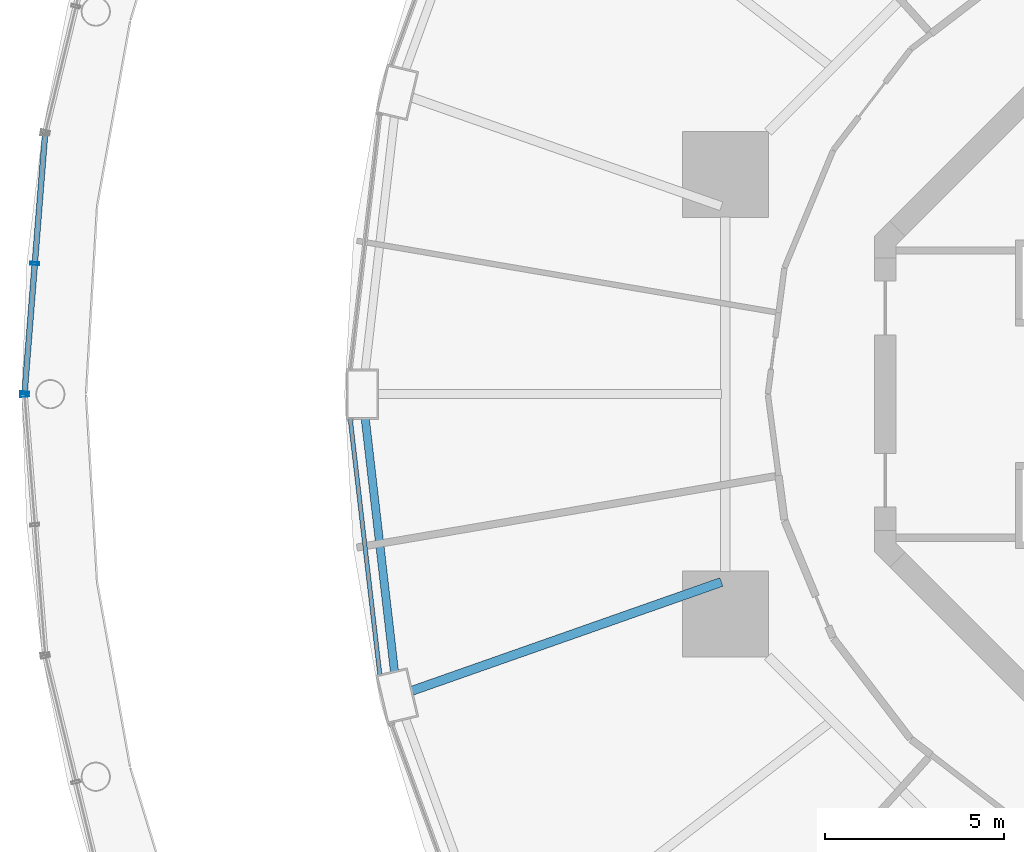
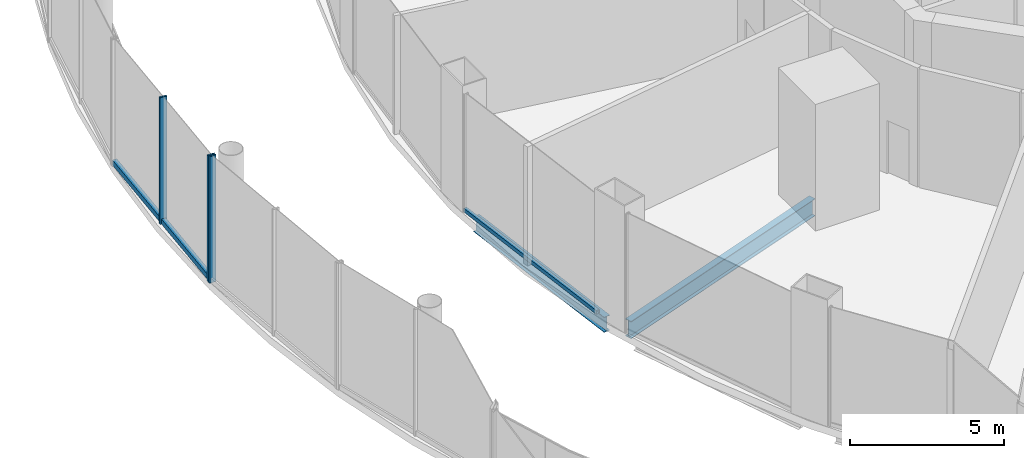
# One storey, part 17 of 48: 5 members, 2 beams, 3 elements without a shape of their own.
"""IFC4 building model written with IfcOpenShell, lengths in metres."""

import ifcopenshell
import ifcopenshell.guid

model = None  # the IFC model being written
_history = None  # IfcOwnerHistory: only IFC2X3 demands one
_inside = {}  # id of a spatial element -> (the spatial element, [elements in it])
_under = {}  # id of a project, library or spatial element -> (it, [spatial elements below it])
_declared = {}  # id of a project -> (the project, [libraries it declares])
_typed = {}  # id of a type object -> (the type object, [elements of that type])
_made_of = {}  # id of a material, layer set ... -> (it, [elements and type objects made of it])


def new_model(schema):
    """Start an empty IFC model of exactly this schema.

    Asked for "IFC4X3", IfcOpenShell would pick the latest addendum, in which some entities
    have other attributes; the version numbers below select the first issue.
    IFC2X3 requires an IfcOwnerHistory on every rooted entity: one is made here for all.
    """
    global model, _history
    if schema == "IFC4X3":
        model = ifcopenshell.file(schema_version=(4, 3, 0, 0))
    else:
        model = ifcopenshell.file(schema=schema)
    _inside.clear()
    _under.clear()
    _declared.clear()
    _typed.clear()
    _made_of.clear()
    _history = None
    if model.schema == "IFC2X3":
        org = make("IfcOrganization", Name="unknown")
        user = make(
            "IfcPersonAndOrganization",
            ThePerson=make("IfcPerson", FamilyName="unknown"),
            TheOrganization=org,
        )
        app = make(
            "IfcApplication",
            ApplicationDeveloper=org,
            Version="unknown",
            ApplicationFullName="unknown",
            ApplicationIdentifier="unknown",
        )
        _history = make(
            "IfcOwnerHistory",
            OwningUser=user,
            OwningApplication=app,
            ChangeAction="ADDED",
            CreationDate=0,
        )
    return model


def make(cls, **values):
    """One entity of the class cls with the attributes given. An attribute that is None is left unset."""
    return model.create_entity(
        cls, **{name: value for name, value in values.items() if value is not None}
    )


def rooted(cls, **values):
    """An entity with a GlobalId (a new one), such as an element, a storey or a relation."""
    return make(cls, GlobalId=ifcopenshell.guid.new(), OwnerHistory=_history, **values)


def si_unit(unit_type, name, prefix=None):
    """IfcSIUnit, for example si_unit("LENGTHUNIT", "METRE", prefix="MILLI")."""
    return make("IfcSIUnit", UnitType=unit_type, Prefix=prefix, Name=name)


def assignment(units):
    """IfcUnitAssignment: the units of a project."""
    return None if units is None else make("IfcUnitAssignment", Units=units)


def point(xyz):
    """IfcCartesianPoint."""
    return None if xyz is None else make("IfcCartesianPoint", Coordinates=xyz)


def direction(xyz):
    """IfcDirection."""
    return None if xyz is None else make("IfcDirection", DirectionRatios=xyz)


def frame(location, z_axis=None, x_axis=None):
    """IfcAxis2Placement3D, a coordinate frame: its origin and axes. An axis left out is left unset."""
    return make(
        "IfcAxis2Placement3D",
        Location=point(location),
        Axis=direction(z_axis),
        RefDirection=direction(x_axis),
    )


def frame_2d(location, x_axis=None):
    """IfcAxis2Placement2D, a coordinate frame in the plane: its origin and x axis."""
    return make(
        "IfcAxis2Placement2D", Location=point(location), RefDirection=direction(x_axis)
    )


def origin():
    """The frame at (0, 0, 0) with its axes left unset."""
    return frame((0.0, 0.0, 0.0))


def origin_2d():
    """The frame at (0, 0) in the plane with its x axis left unset."""
    return frame_2d((0.0, 0.0))


def place(relative_to, where):
    """IfcLocalPlacement: puts the frame where relative to a parent placement (None: the world)."""
    return make(
        "IfcLocalPlacement", PlacementRelTo=relative_to, RelativePlacement=where
    )


def context(
    kind, dimensions, precision=None, world=None, true_north=None, identifier=None
):
    """IfcGeometricRepresentationContext, for example the 3D "Model" context."""
    return make(
        "IfcGeometricRepresentationContext",
        ContextIdentifier=identifier,
        ContextType=kind,
        CoordinateSpaceDimension=dimensions,
        Precision=precision,
        WorldCoordinateSystem=world,
        TrueNorth=true_north,
    )


def subcontext(parent, identifier, kind, view, scale=None):
    """IfcGeometricRepresentationSubContext, for example "Body" below "Model"."""
    return make(
        "IfcGeometricRepresentationSubContext",
        ContextIdentifier=identifier,
        ContextType=kind,
        ParentContext=parent,
        TargetScale=scale,
        TargetView=view,
    )


def project(units=None, contexts=None):
    """IfcProject with its units and contexts."""
    return rooted(
        "IfcProject",
        Name="project",
        RepresentationContexts=contexts,
        UnitsInContext=assignment(units),
    )


def spatial(cls, under=None, at=None, **own):
    """A site, building, storey or space (cls), placed at a placement, below another one or the project."""
    s = rooted(cls, ObjectPlacement=at, **own)
    if under is not None:
        _under.setdefault(under.id(), (under, []))[1].append(s)
    return s


def profile(cls, at=None, kind="AREA", **sizes):
    """A parametric profile (cls). Its sizes go by their IFC names, for example OverallWidth=200.0."""
    return make(cls, ProfileType=kind, Position=at, **sizes)


def hollow_rectangle(**sizes):
    """IfcRectangleHollowProfileDef."""
    return profile("IfcRectangleHollowProfileDef", **sizes)


def i_section(**sizes):
    """IfcIShapeProfileDef."""
    return profile("IfcIShapeProfileDef", **sizes)


def extrude(swept, where, along, depth):
    """IfcExtrudedAreaSolid: the profile swept, set in the frame where, extruded along a direction by depth."""
    return make(
        "IfcExtrudedAreaSolid",
        SweptArea=swept,
        Position=where,
        ExtrudedDirection=direction(along),
        Depth=depth,
    )


def shape(context_of_items, identifier, shape_type, items):
    """IfcShapeRepresentation: the items that make up one representation, for example the "Body"."""
    return make(
        "IfcShapeRepresentation",
        ContextOfItems=context_of_items,
        RepresentationIdentifier=identifier,
        RepresentationType=shape_type,
        Items=items,
    )


def material(Name=None, Category=None):
    """IfcMaterial."""
    return make("IfcMaterial", Name=Name, Category=Category)


def layer(
    of_material, thickness, ventilated=None, Name=None, Category=None, Priority=None
):
    """IfcMaterialLayer: one layer of a wall or slab, of a material (None: an air gap)."""
    return make(
        "IfcMaterialLayer",
        Material=of_material,
        LayerThickness=thickness,
        IsVentilated=ventilated,
        Name=Name,
        Category=Category,
        Priority=Priority,
    )


def layer_set(layers, Name=None):
    """IfcMaterialLayerSet."""
    return make("IfcMaterialLayerSet", MaterialLayers=layers, LayerSetName=Name)


def material_profile(
    of_material, cross_section, Name=None, Category=None, Priority=None
):
    """IfcMaterialProfile: a cross section and its material."""
    return make(
        "IfcMaterialProfile",
        Name=Name,
        Material=of_material,
        Profile=cross_section,
        Priority=Priority,
        Category=Category,
    )


def profile_set(profiles, Name=None, composite=None):
    """IfcMaterialProfileSet."""
    return make(
        "IfcMaterialProfileSet",
        Name=Name,
        MaterialProfiles=profiles,
        CompositeProfile=composite,
    )


def made_of(thing, what):
    """Note that an element or type object is made of a material, layer set ...; save() writes the relation."""
    if what is not None:
        _made_of.setdefault(what.id(), (what, []))[1].append(thing)
    return thing


def type_object(cls, material=None, **own):
    """A type object (cls), such as IfcWallType, which elements share."""
    return made_of(rooted(cls, **own), material)


def element(
    cls,
    number,
    at=None,
    inside=None,
    cuts=None,
    type_object=None,
    material=None,
    context=None,
    identifier="Body",
    shape_type=None,
    held_by="IfcProductDefinitionShape",
    body=None,
    shapes=None,
    **own,
):
    """One element of the class cls, such as IfcWall. Its Tag is "e" and its number.

    at: its placement. inside: the storey or other place that contains it. cuts: it is an
    opening in that element (IfcRelVoidsElement). A single representation is given by context,
    identifier, shape_type and body (its items); several are given by shapes. held_by: the class
    of the entity that holds the representations. save() writes the other relations.
    """
    e = rooted(cls, Tag="e%d" % number, ObjectPlacement=at, **own)
    if body is not None:
        shapes = [shape(context, identifier, shape_type, body)]
    if shapes is not None:
        e.Representation = make(held_by, Representations=shapes)
    if inside is not None:
        _inside.setdefault(inside.id(), (inside, []))[1].append(e)
    if cuts is not None:
        rooted(
            "IfcRelVoidsElement", RelatingBuildingElement=cuts, RelatedOpeningElement=e
        )
    if type_object is not None:
        _typed.setdefault(type_object.id(), (type_object, []))[1].append(e)
    return made_of(e, material)


def aggregate(whole, parts):
    """IfcRelAggregates: a whole, such as a stair, and the parts it consists of."""
    return rooted("IfcRelAggregates", RelatingObject=whole, RelatedObjects=parts)


def save(model, path):
    """Write the relations noted so far, then the file.

    IfcRelAggregates (storeys below a building ...), IfcRelContainedInSpatialStructure (elements
    in a storey), IfcRelDefinesByType, IfcRelAssociatesMaterial and IfcRelDeclares: one each for
    every whole, place, type object, material and project.
    """
    for whole, parts in _under.values():
        aggregate(whole, parts)
    for where, things in _inside.values():
        rooted(
            "IfcRelContainedInSpatialStructure",
            RelatedElements=things,
            RelatingStructure=where,
        )
    for kind, things in _typed.values():
        rooted("IfcRelDefinesByType", RelatedObjects=things, RelatingType=kind)
    for what, things in _made_of.values():
        rooted("IfcRelAssociatesMaterial", RelatedObjects=things, RelatingMaterial=what)
    for by, libraries in _declared.values():
        rooted("IfcRelDeclares", RelatingContext=by, RelatedDefinitions=libraries)
    model.write(path)


model = new_model("IFC4")

# Units and contexts
model_context = context("Model", 3, precision=1e-05, world=origin(), true_north=direction((0.0, 1.0)))
body_context = subcontext(model_context, "Body", "Model", "MODEL_VIEW")
ifc_project = project(units=[si_unit("LENGTHUNIT", "METRE"), si_unit("AREAUNIT", "SQUARE_METRE"), si_unit("VOLUMEUNIT", "CUBIC_METRE"), si_unit("PLANEANGLEUNIT", "RADIAN"), si_unit("MASSUNIT", "GRAM", prefix="KILO")], contexts=[model_context])

# Site, building, storey
site_placement = place(None, origin())
site = spatial("IfcSite", under=ifc_project, at=site_placement, CompositionType="ELEMENT")
building_placement = place(site_placement, origin())
building = spatial("IfcBuilding", under=site, at=building_placement, Name="Nagisa Residences", CompositionType="ELEMENT")
storey_placement = place(building_placement, frame((0.0, 0.0, 12.0)))
storey = spatial("IfcBuildingStorey", under=building, at=storey_placement, Name="L02", CompositionType="ELEMENT", Elevation=12.0)

# Curtain wall, members
ifc_material_1 = material(Name="Stainless steel curtain wall system", Category="steel")
ifc_layer_1 = layer(ifc_material_1, 0.159912109375)
ifc_layer_set_1 = layer_set([ifc_layer_1], Name="CW3 CURTAIN WALL")
curtain_wall_type_1 = type_object("IfcCurtainWallType", Name="CW3 CURTAIN WALL", PredefinedType="NOTDEFINED", material=ifc_layer_set_1)
curtain_wall_1_placement = place(storey_placement, origin())
curtain_wall_1 = element("IfcCurtainWall", 1, at=curtain_wall_1_placement, inside=storey, type_object=curtain_wall_type_1, Name="cw:CW3:L02:17", PredefinedType="NOTDEFINED")
ifc_material_2 = material(Name="Stainless steel", Category="steel")
ifc_material_profile_1 = material_profile(ifc_material_2, hollow_rectangle(XDim=0.25, YDim=0.080078125, WallThickness=0.008056640625, at=origin_2d()), Name="CW3 MULLION 250x80")
ifc_profile_set_1 = profile_set([ifc_material_profile_1], Name="Stainless steel")
member_type_1 = type_object("IfcMemberType", Name="CW3 MULLION 250x80", PredefinedType="MULLION", material=ifc_profile_set_1)
member_1_placement = place(storey_placement, frame((-34.031494140625, 3.640380859375, 0.0), z_axis=(0.0, 0.0, 1.0), x_axis=(0.996881777235, -0.078909582539, 0.0)))
member_1 = element("IfcMember", 2, at=member_1_placement, type_object=member_type_1, Name="CW3 mullion", PredefinedType="MULLION", context=body_context, shape_type="SweptSolid", body=[
    extrude(hollow_rectangle(XDim=0.25, YDim=0.080078125, WallThickness=0.008056640625, at=origin_2d()), origin(), (0.0, 0.0, 1.0), 5.0),
])
member_2_placement = place(storey_placement, frame((-34.317138671875, 0.033447265625, 0.0), z_axis=(0.0, 0.0, 1.0), x_axis=(0.996881777235, -0.078909582539, 0.0)))
member_2 = element("IfcMember", 3, at=member_2_placement, type_object=member_type_1, Name="CW3 mullion", PredefinedType="MULLION", context=body_context, shape_type="SweptSolid", body=[
    extrude(hollow_rectangle(XDim=0.25, YDim=0.080078125, WallThickness=0.008056640625, at=origin_2d()), origin(), (0.0, 0.0, 1.0), 5.0),
])

# Curtain wall, member
curtain_wall_2_placement = place(storey_placement, origin())
curtain_wall_2 = element("IfcCurtainWall", 4, at=curtain_wall_2_placement, inside=storey, type_object=curtain_wall_type_1, Name="cw:CW3:L02:18", PredefinedType="NOTDEFINED")
member_3_placement = place(storey_placement, frame((-34.317138671875, -0.033447265625, 0.0), z_axis=(0.0, 0.0, 1.0), x_axis=(0.996881777235, 0.078909582539, 0.0)))
member_3 = element("IfcMember", 5, at=member_3_placement, type_object=member_type_1, Name="CW3 mullion", PredefinedType="MULLION", context=body_context, shape_type="SweptSolid", body=[
    extrude(hollow_rectangle(XDim=0.25, YDim=0.080078125, WallThickness=0.008056640625, at=origin_2d()), origin(), (0.0, 0.0, 1.0), 5.0),
])
aggregate(curtain_wall_2, [member_3])

# Member
ifc_material_3 = material(Name="Stainless steel", Category="steel")
ifc_material_profile_2 = material_profile(ifc_material_3, hollow_rectangle(XDim=0.159912109375, YDim=0.199951171875, WallThickness=0.008056640625, at=origin_2d()), Name="CW3 TRANSOM 160x200")
ifc_profile_set_2 = profile_set([ifc_material_profile_2], Name="Stainless steel")
member_type_2 = type_object("IfcMemberType", Name="CW3 TRANSOM 160x200", PredefinedType="USERDEFINED", material=ifc_profile_set_2)
member_4_placement = place(storey_placement, frame((-33.742919921875, 7.286865234375, 0.10009765625), z_axis=(-0.078921540002, -0.996880830653, 0.0), x_axis=(0.996880830653, -0.078921540002, 0.0)))
member_4 = element("IfcMember", 6, at=member_4_placement, type_object=member_type_2, Name="CW3 transom", ObjectType="TRANSOM", PredefinedType="USERDEFINED", context=body_context, shape_type="SweptSolid", body=[
    extrude(hollow_rectangle(XDim=0.159912109375, YDim=0.199951171875, WallThickness=0.008056640625, at=origin_2d()), origin(), (0.0, 0.0, 1.0), 7.31591796875),
])

aggregate(curtain_wall_1, [member_1, member_2, member_4])

# Curtain wall, member
ifc_material_4 = material(Name="Stainless steel curtain wall system", Category="steel")
ifc_layer_2 = layer(ifc_material_4, 0.159912109375)
ifc_layer_set_2 = layer_set([ifc_layer_2], Name="CW6 CURTAIN WALL")
curtain_wall_type_2 = type_object("IfcCurtainWallType", Name="CW6 CURTAIN WALL", PredefinedType="NOTDEFINED", material=ifc_layer_set_2)
curtain_wall_3_placement = place(storey_placement, origin())
curtain_wall_3 = element("IfcCurtainWall", 7, at=curtain_wall_3_placement, inside=storey, type_object=curtain_wall_type_2, Name="cw:CW6:L02:24", PredefinedType="NOTDEFINED")
ifc_material_5 = material(Name="Stainless steel", Category="steel")
ifc_material_profile_3 = material_profile(ifc_material_5, hollow_rectangle(XDim=0.1201171875, YDim=0.14990234375, WallThickness=0.008056640625, at=origin_2d()), Name="CW6 TRANSOM 120x150")
ifc_profile_set_3 = profile_set([ifc_material_profile_3], Name="Stainless steel")
member_type_3 = type_object("IfcMemberType", Name="CW6 TRANSOM 120x150", PredefinedType="USERDEFINED", material=ifc_profile_set_3)
member_5_placement = place(storey_placement, frame((-25.239990234375, -0.686279296875, 0.074951171875), z_axis=(0.114916347997, -0.993375172311, 0.0), x_axis=(0.993375172311, 0.114916347997, 0.0)))
member_5 = element("IfcMember", 8, at=member_5_placement, type_object=member_type_3, Name="CW6 transom", ObjectType="TRANSOM", PredefinedType="USERDEFINED", context=body_context, shape_type="SweptSolid", body=[
    extrude(hollow_rectangle(XDim=0.1201171875, YDim=0.14990234375, WallThickness=0.008056640625, at=origin_2d()), origin(), (0.0, 0.0, 1.0), 7.19775390625),
])
aggregate(curtain_wall_3, [member_5])

# Beams
ifc_material_6 = material(Name="Steel ASTM A572 Gr 50", Category="steel")
ifc_material_profile_4 = material_profile(ifc_material_6, i_section(OverallWidth=0.22802734375, OverallDepth=0.60302734375, WebThickness=0.010498046875, FlangeThickness=0.014892578125, at=origin_2d()), Name="W610x101")
ifc_profile_set_4 = profile_set([ifc_material_profile_4], Name="Steel ASTM A572 Gr 50")
beam_type_1 = type_object("IfcBeamType", Name="Perimeter ring beam W610x101", PredefinedType="BEAM", material=ifc_profile_set_4)
beam_1_placement = place(storey_placement, frame((-24.821533203125, -0.68017578125, -0.6015625), z_axis=(0.114707660057, -0.993399291687, 0.0), x_axis=(0.993399291687, 0.114707660057, 0.0)))
element("IfcBeam", 9, at=beam_1_placement, inside=storey, type_object=beam_type_1, Name="beam:L02:pb13", PredefinedType="BEAM", context=body_context, shape_type="SweptSolid", body=[
    extrude(i_section(OverallWidth=0.22802734375, OverallDepth=0.60302734375, WebThickness=0.010498046875, FlangeThickness=0.014892578125, at=origin_2d()), origin(), (0.0, 0.0, 1.0), 7.09814453125),
])
ifc_material_7 = material(Name="Steel ASTM A572 Gr 50", Category="steel")
ifc_material_profile_5 = material_profile(ifc_material_7, i_section(OverallWidth=0.25390625, OverallDepth=0.68408203125, WebThickness=0.012451171875, FlangeThickness=0.018798828125, at=origin_2d()), Name="W690x140")
ifc_profile_set_5 = profile_set([ifc_material_profile_5], Name="Steel ASTM A572 Gr 50")
beam_type_2 = type_object("IfcBeamType", Name="Radial beam W690x140", PredefinedType="BEAM", material=ifc_profile_set_5)
beam_2_placement = place(storey_placement, frame((-23.520751953125, -8.26806640625, -0.64208984375), z_axis=(0.943414535235, 0.331615763659, 0.0), x_axis=(-0.331615763659, 0.943414535235, 0.0)))
element("IfcBeam", 10, at=beam_2_placement, inside=storey, type_object=beam_type_2, Name="beam:L02:rb14", PredefinedType="BEAM", context=body_context, shape_type="SweptSolid", body=[
    extrude(i_section(OverallWidth=0.25390625, OverallDepth=0.68408203125, WebThickness=0.012451171875, FlangeThickness=0.018798828125, at=origin_2d()), origin(), (0.0, 0.0, 1.0), 9.142333984375),
])

save(model, "model.ifc")
